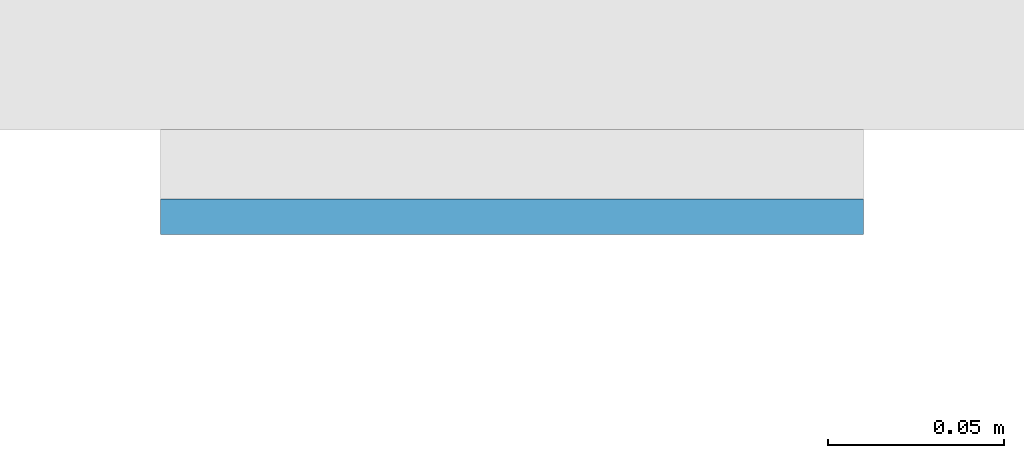
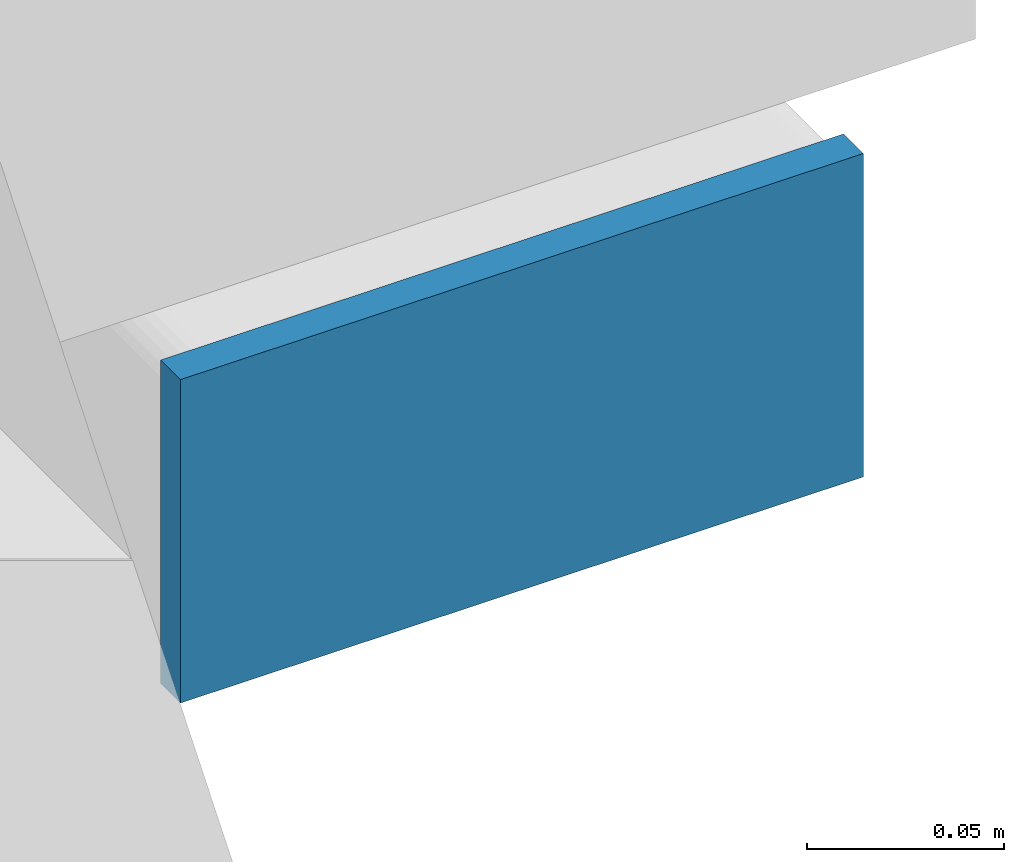
# One storey, part 5 of 12: 1 plate.
"""IFC4 building model written with IfcOpenShell, lengths in metres."""

from ifc_helpers import new_model, si_unit, direction, frame, origin, origin_2d, place, context, subcontext, project, spatial, rectangle, extrude, material, layer, layer_set, type_object, element, save


model = new_model("IFC4")

# Units and contexts
model_context = context("Model", 3, precision=1e-05, world=origin(), true_north=direction((0.0, 1.0)))
body_context = subcontext(model_context, "Body", "Model", "MODEL_VIEW")
ifc_project = project(units=[si_unit("LENGTHUNIT", "METRE"), si_unit("AREAUNIT", "SQUARE_METRE"), si_unit("VOLUMEUNIT", "CUBIC_METRE"), si_unit("PLANEANGLEUNIT", "RADIAN"), si_unit("MASSUNIT", "GRAM", prefix="KILO")], contexts=[model_context])

# Site, building, storey
site_placement = place(None, origin())
site = spatial("IfcSite", under=ifc_project, at=site_placement, CompositionType="ELEMENT")
building_placement = place(site_placement, origin())
building = spatial("IfcBuilding", under=site, at=building_placement, Name="Cleftline Residences", CompositionType="ELEMENT")
storey_placement = place(building_placement, frame((0.0, 0.0, 248.39990234375)))
storey = spatial("IfcBuildingStorey", under=building, at=storey_placement, Name="L65", CompositionType="ELEMENT", Elevation=248.39990234375)

# Plate
ifc_material = material(Name="Steel S355, hot-dip galvanised", Category="steel")
ifc_layer = layer(ifc_material, 0.010009765625)
ifc_layer_set = layer_set([ifc_layer], Name="BAGUETTE CARRIER END PLATE 200X100X10")
plate_type = type_object("IfcPlateType", Name="BAGUETTE CARRIER END PLATE 200X100X10", PredefinedType="USERDEFINED", material=ifc_layer_set)
plate_placement = place(storey_placement, frame((66.85009765625, 3.695068359375, -0.099853515625), z_axis=(0.0, 0.0, 1.0), x_axis=(1.0, 0.0, 0.0)))
element("IfcPlate", 1, at=plate_placement, inside=storey, type_object=plate_type, Name="Baguette carrier end plate", ObjectType="BAGUETTE CARRIER END PLATE", PredefinedType="USERDEFINED", context=body_context, shape_type="SweptSolid", body=[
    extrude(rectangle(XDim=0.199951171875, YDim=0.010009765625, at=origin_2d()), origin(), (0.0, 0.0, 1.0), 0.10009765625),
])

save(model, "model.ifc")
